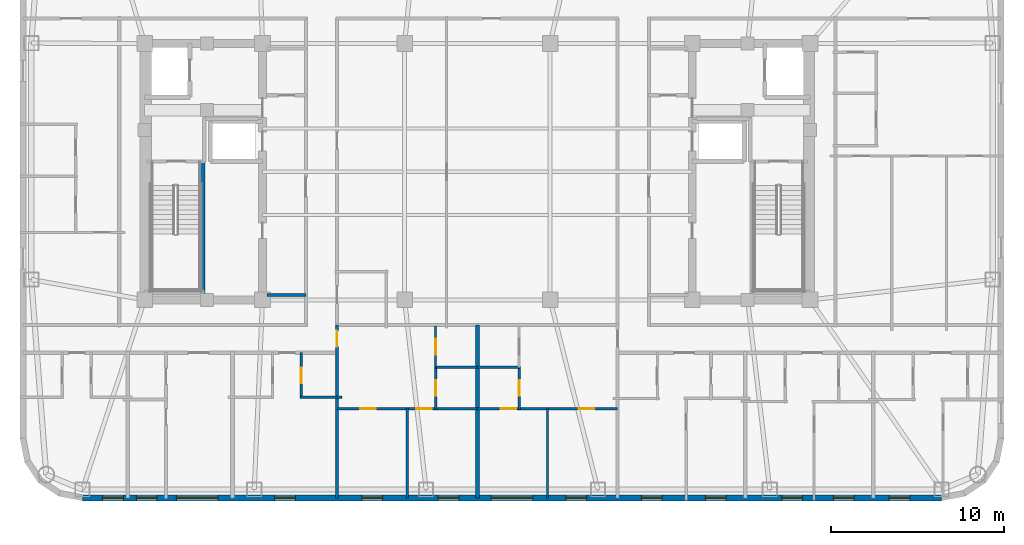
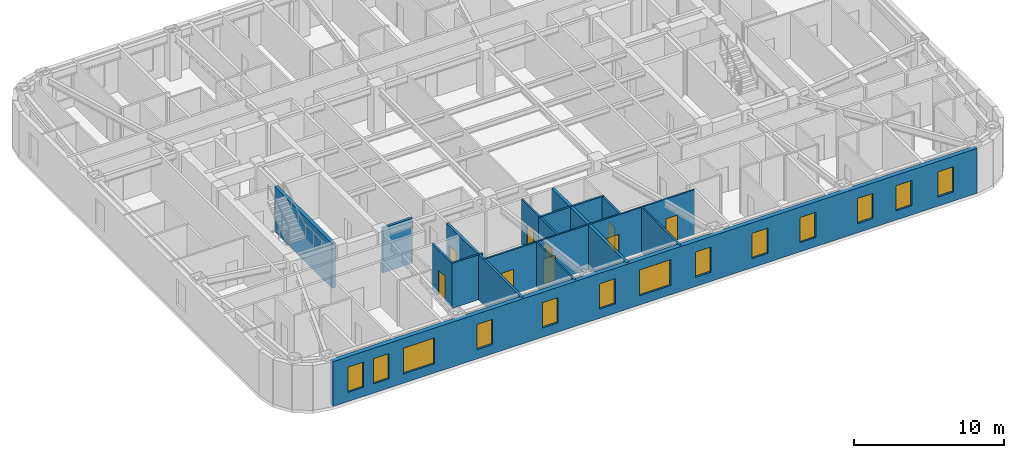
# One storey, part 3 of 11: 16 walls, 13 windows, 9 doors, 22 openings.
"""IFC4 building model written with IfcOpenShell, lengths in metres."""

import ifcopenshell
import ifcopenshell.guid

model = None  # the IFC model being written
_history = None  # IfcOwnerHistory: only IFC2X3 demands one
_inside = {}  # id of a spatial element -> (the spatial element, [elements in it])
_under = {}  # id of a project, library or spatial element -> (it, [spatial elements below it])
_declared = {}  # id of a project -> (the project, [libraries it declares])
_typed = {}  # id of a type object -> (the type object, [elements of that type])
_made_of = {}  # id of a material, layer set ... -> (it, [elements and type objects made of it])


def new_model(schema):
    """Start an empty IFC model of exactly this schema.

    Asked for "IFC4X3", IfcOpenShell would pick the latest addendum, in which some entities
    have other attributes; the version numbers below select the first issue.
    IFC2X3 requires an IfcOwnerHistory on every rooted entity: one is made here for all.
    """
    global model, _history
    if schema == "IFC4X3":
        model = ifcopenshell.file(schema_version=(4, 3, 0, 0))
    else:
        model = ifcopenshell.file(schema=schema)
    _inside.clear()
    _under.clear()
    _declared.clear()
    _typed.clear()
    _made_of.clear()
    _history = None
    if model.schema == "IFC2X3":
        org = make("IfcOrganization", Name="unknown")
        user = make(
            "IfcPersonAndOrganization",
            ThePerson=make("IfcPerson", FamilyName="unknown"),
            TheOrganization=org,
        )
        app = make(
            "IfcApplication",
            ApplicationDeveloper=org,
            Version="unknown",
            ApplicationFullName="unknown",
            ApplicationIdentifier="unknown",
        )
        _history = make(
            "IfcOwnerHistory",
            OwningUser=user,
            OwningApplication=app,
            ChangeAction="ADDED",
            CreationDate=0,
        )
    return model


def make(cls, **values):
    """One entity of the class cls with the attributes given. An attribute that is None is left unset."""
    return model.create_entity(
        cls, **{name: value for name, value in values.items() if value is not None}
    )


def rooted(cls, **values):
    """An entity with a GlobalId (a new one), such as an element, a storey or a relation."""
    return make(cls, GlobalId=ifcopenshell.guid.new(), OwnerHistory=_history, **values)


def si_unit(unit_type, name, prefix=None):
    """IfcSIUnit, for example si_unit("LENGTHUNIT", "METRE", prefix="MILLI")."""
    return make("IfcSIUnit", UnitType=unit_type, Prefix=prefix, Name=name)


def assignment(units):
    """IfcUnitAssignment: the units of a project."""
    return None if units is None else make("IfcUnitAssignment", Units=units)


def point(xyz):
    """IfcCartesianPoint."""
    return None if xyz is None else make("IfcCartesianPoint", Coordinates=xyz)


def direction(xyz):
    """IfcDirection."""
    return None if xyz is None else make("IfcDirection", DirectionRatios=xyz)


def frame(location, z_axis=None, x_axis=None):
    """IfcAxis2Placement3D, a coordinate frame: its origin and axes. An axis left out is left unset."""
    return make(
        "IfcAxis2Placement3D",
        Location=point(location),
        Axis=direction(z_axis),
        RefDirection=direction(x_axis),
    )


def frame_2d(location, x_axis=None):
    """IfcAxis2Placement2D, a coordinate frame in the plane: its origin and x axis."""
    return make(
        "IfcAxis2Placement2D", Location=point(location), RefDirection=direction(x_axis)
    )


def origin():
    """The frame at (0, 0, 0) with its axes left unset."""
    return frame((0.0, 0.0, 0.0))


def place(relative_to, where):
    """IfcLocalPlacement: puts the frame where relative to a parent placement (None: the world)."""
    return make(
        "IfcLocalPlacement", PlacementRelTo=relative_to, RelativePlacement=where
    )


def context(
    kind, dimensions, precision=None, world=None, true_north=None, identifier=None
):
    """IfcGeometricRepresentationContext, for example the 3D "Model" context."""
    return make(
        "IfcGeometricRepresentationContext",
        ContextIdentifier=identifier,
        ContextType=kind,
        CoordinateSpaceDimension=dimensions,
        Precision=precision,
        WorldCoordinateSystem=world,
        TrueNorth=true_north,
    )


def subcontext(parent, identifier, kind, view, scale=None):
    """IfcGeometricRepresentationSubContext, for example "Body" below "Model"."""
    return make(
        "IfcGeometricRepresentationSubContext",
        ContextIdentifier=identifier,
        ContextType=kind,
        ParentContext=parent,
        TargetScale=scale,
        TargetView=view,
    )


def project(units=None, contexts=None):
    """IfcProject with its units and contexts."""
    return rooted(
        "IfcProject",
        Name="project",
        RepresentationContexts=contexts,
        UnitsInContext=assignment(units),
    )


def spatial(cls, under=None, at=None, **own):
    """A site, building, storey or space (cls), placed at a placement, below another one or the project."""
    s = rooted(cls, ObjectPlacement=at, **own)
    if under is not None:
        _under.setdefault(under.id(), (under, []))[1].append(s)
    return s


def profile(cls, at=None, kind="AREA", **sizes):
    """A parametric profile (cls). Its sizes go by their IFC names, for example OverallWidth=200.0."""
    return make(cls, ProfileType=kind, Position=at, **sizes)


def rectangle(**sizes):
    """IfcRectangleProfileDef."""
    return profile("IfcRectangleProfileDef", **sizes)


def extrude(swept, where, along, depth):
    """IfcExtrudedAreaSolid: the profile swept, set in the frame where, extruded along a direction by depth."""
    return make(
        "IfcExtrudedAreaSolid",
        SweptArea=swept,
        Position=where,
        ExtrudedDirection=direction(along),
        Depth=depth,
    )


def shape(context_of_items, identifier, shape_type, items):
    """IfcShapeRepresentation: the items that make up one representation, for example the "Body"."""
    return make(
        "IfcShapeRepresentation",
        ContextOfItems=context_of_items,
        RepresentationIdentifier=identifier,
        RepresentationType=shape_type,
        Items=items,
    )


def material(Name=None, Category=None):
    """IfcMaterial."""
    return make("IfcMaterial", Name=Name, Category=Category)


def layer(
    of_material, thickness, ventilated=None, Name=None, Category=None, Priority=None
):
    """IfcMaterialLayer: one layer of a wall or slab, of a material (None: an air gap)."""
    return make(
        "IfcMaterialLayer",
        Material=of_material,
        LayerThickness=thickness,
        IsVentilated=ventilated,
        Name=Name,
        Category=Category,
        Priority=Priority,
    )


def layer_set(layers, Name=None):
    """IfcMaterialLayerSet."""
    return make("IfcMaterialLayerSet", MaterialLayers=layers, LayerSetName=Name)


def made_of(thing, what):
    """Note that an element or type object is made of a material, layer set ...; save() writes the relation."""
    if what is not None:
        _made_of.setdefault(what.id(), (what, []))[1].append(thing)
    return thing


def type_object(cls, material=None, **own):
    """A type object (cls), such as IfcWallType, which elements share."""
    return made_of(rooted(cls, **own), material)


def element(
    cls,
    number,
    at=None,
    inside=None,
    cuts=None,
    type_object=None,
    material=None,
    context=None,
    identifier="Body",
    shape_type=None,
    held_by="IfcProductDefinitionShape",
    body=None,
    shapes=None,
    **own,
):
    """One element of the class cls, such as IfcWall. Its Tag is "e" and its number.

    at: its placement. inside: the storey or other place that contains it. cuts: it is an
    opening in that element (IfcRelVoidsElement). A single representation is given by context,
    identifier, shape_type and body (its items); several are given by shapes. held_by: the class
    of the entity that holds the representations. save() writes the other relations.
    """
    e = rooted(cls, Tag="e%d" % number, ObjectPlacement=at, **own)
    if body is not None:
        shapes = [shape(context, identifier, shape_type, body)]
    if shapes is not None:
        e.Representation = make(held_by, Representations=shapes)
    if inside is not None:
        _inside.setdefault(inside.id(), (inside, []))[1].append(e)
    if cuts is not None:
        rooted(
            "IfcRelVoidsElement", RelatingBuildingElement=cuts, RelatedOpeningElement=e
        )
    if type_object is not None:
        _typed.setdefault(type_object.id(), (type_object, []))[1].append(e)
    return made_of(e, material)


def fill(opening, filler):
    """IfcRelFillsElement: the door or window that sits in an opening."""
    return rooted(
        "IfcRelFillsElement",
        RelatingOpeningElement=opening,
        RelatedBuildingElement=filler,
    )


def aggregate(whole, parts):
    """IfcRelAggregates: a whole, such as a stair, and the parts it consists of."""
    return rooted("IfcRelAggregates", RelatingObject=whole, RelatedObjects=parts)


def save(model, path):
    """Write the relations noted so far, then the file.

    IfcRelAggregates (storeys below a building ...), IfcRelContainedInSpatialStructure (elements
    in a storey), IfcRelDefinesByType, IfcRelAssociatesMaterial and IfcRelDeclares: one each for
    every whole, place, type object, material and project.
    """
    for whole, parts in _under.values():
        aggregate(whole, parts)
    for where, things in _inside.values():
        rooted(
            "IfcRelContainedInSpatialStructure",
            RelatedElements=things,
            RelatingStructure=where,
        )
    for kind, things in _typed.values():
        rooted("IfcRelDefinesByType", RelatedObjects=things, RelatingType=kind)
    for what, things in _made_of.values():
        rooted("IfcRelAssociatesMaterial", RelatedObjects=things, RelatingMaterial=what)
    for by, libraries in _declared.values():
        rooted("IfcRelDeclares", RelatingContext=by, RelatedDefinitions=libraries)
    model.write(path)


model = new_model("IFC4")

# Units and contexts
model_context = context("Model", 3, precision=1e-05, world=origin(), true_north=direction((0.0, 1.0)))
body_context = subcontext(model_context, "Body", "Model", "MODEL_VIEW")
ifc_project = project(units=[si_unit("LENGTHUNIT", "METRE"), si_unit("AREAUNIT", "SQUARE_METRE"), si_unit("VOLUMEUNIT", "CUBIC_METRE"), si_unit("PLANEANGLEUNIT", "RADIAN"), si_unit("MASSUNIT", "GRAM", prefix="KILO")], contexts=[model_context])

# Site, building, storey
site_placement = place(None, origin())
site = spatial("IfcSite", under=ifc_project, at=site_placement, CompositionType="ELEMENT")
building_placement = place(site_placement, origin())
building = spatial("IfcBuilding", under=site, at=building_placement, Name="Voryun Gate Residences", CompositionType="ELEMENT")
storey_placement = place(building_placement, frame((0.0, 0.0, 239.199951171875)))
storey = spatial("IfcBuildingStorey", under=building, at=storey_placement, Name="L59", CompositionType="ELEMENT", Elevation=239.199951171875)

# Wall
ifc_material_1 = material(Name="Gypsum acoustic fireboard")
ifc_layer_1 = layer(ifc_material_1, 0.179931640625, Name="W_CORR_RATED_180")
ifc_layer_set_1 = layer_set([ifc_layer_1], Name="Gypsum acoustic fireboard")
wall_type_1 = type_object("IfcWallType", Name="W_CORR_RATED_180", PredefinedType="PARTITIONING", material=ifc_layer_set_1)
wall_1_placement = place(storey_placement, frame((-12.14990234375, -7.1201171875, 0.0), z_axis=(0.0, 0.0, 1.0), x_axis=(1.0, 0.0, 0.0)))
element("IfcWall", 1, at=wall_1_placement, inside=storey, type_object=wall_type_1, Name="Partition wall WP-L59-PLBS-W", PredefinedType="PARTITIONING", context=body_context, shape_type="SweptSolid", body=[
    extrude(rectangle(XDim=2.27001953125, YDim=0.179931640625, at=frame_2d((1.135009765625, 0.0))), origin(), (0.0, 0.0, 1.0), 3.650146484375),
])

# Wall, opening, door
wall_2_placement = place(storey_placement, frame((-8.10009765625, -18.830078125, 0.0), z_axis=(0.0, 0.0, 1.0), x_axis=(0.0, 1.0, 0.0)))
wall_2 = element("IfcWall", 2, at=wall_2_placement, inside=storey, type_object=wall_type_1, Name="Partition wall WP-L59-SZV-1", PredefinedType="PARTITIONING", context=body_context, shape_type="SweptSolid", body=[
    extrude(rectangle(XDim=9.989990234375, YDim=0.179931640625, at=frame_2d((4.9951171875, 0.0))), origin(), (0.0, 0.0, 1.0), 3.650146484375),
])
opening_1_placement = place(wall_2_placement, frame((8.73974609375, 0.0, 0.0)))
opening_1 = element("IfcOpeningElement", 3, at=opening_1_placement, cuts=wall_2, Name="Opening D-INT-2", PredefinedType="OPENING", context=body_context, shape_type="SweptSolid", body=[
    extrude(rectangle(XDim=0.89990234375, YDim=2.050048828125, at=frame_2d((0.449951171875, 1.02490234375))), frame((0.0, 0.099853515625, 0.0), z_axis=(0.0, -1.0, 0.0), x_axis=(1.0, 0.0, 0.0)), (0.0, 0.0, 1.0), 0.199951171875),
])
ifc_material_2 = material(Name="Architectural oak veneer")
door_type = type_object("IfcDoorType", Name="DR_INT_BATH_900", OperationType="NOTDEFINED", PredefinedType="DOOR", material=ifc_material_2)
door_1_placement = place(opening_1_placement, origin())
door_1 = element("IfcDoor", 4, at=door_1_placement, inside=storey, type_object=door_type, Name="Door DR-L59-SZENT-1", OperationType="SINGLE_SWING_LEFT", OverallHeight=2.050048828125, OverallWidth=0.89990234375, PredefinedType="DOOR", context=body_context, shape_type="SweptSolid", body=[
    extrude(rectangle(XDim=0.89990234375, YDim=2.050048828125, at=frame_2d((0.449951171875, 1.02490234375))), frame((0.0, 0.02490234375, 0.0), z_axis=(0.0, -1.0, 0.0), x_axis=(1.0, 0.0, 0.0)), (0.0, 0.0, 1.0), 0.050048828125),
])
fill(opening_1, door_1)

# Wall, openings, windows
ifc_material_3 = material(Name="Charcoal terracotta masonry", Category="masonry")
ifc_layer_2 = layer(ifc_material_3, 0.340087890625, Name="W_EXT_TERRACOTTA_340")
ifc_layer_set_2 = layer_set([ifc_layer_2], Name="Charcoal terracotta masonry")
wall_type_2 = type_object("IfcWallType", Name="W_EXT_TERRACOTTA_340", PredefinedType="ELEMENTEDWALL", material=ifc_layer_set_2)
wall_3_placement = place(storey_placement, frame((26.783203125, -18.830078125, 0.0), z_axis=(0.0, 0.0, 1.0), x_axis=(-1.0, 0.0, 0.0)))
wall_3 = element("IfcWall", 5, at=wall_3_placement, inside=storey, type_object=wall_type_2, Name="Exterior wall WEXT-L59-01", PredefinedType="ELEMENTEDWALL", context=body_context, shape_type="SweptSolid", body=[
    extrude(rectangle(XDim=49.56640625, YDim=0.340087890625, at=frame_2d((24.783203125, 0.0))), origin(), (0.0, 0.0, 1.0), 3.650146484375),
])
opening_2_placement = place(wall_3_placement, frame((23.583251953125, 0.0, 0.75)))
opening_2 = element("IfcOpeningElement", 6, at=opening_2_placement, cuts=wall_3, Name="Opening WN2", PredefinedType="OPENING", context=body_context, shape_type="SweptSolid", body=[
    extrude(rectangle(XDim=2.39990234375, YDim=2.10009765625, at=frame_2d((1.199951171875, 1.050048828125))), frame((0.0, 0.179931640625, 0.0), z_axis=(0.0, -1.0, 0.0), x_axis=(1.0, 0.0, 0.0)), (0.0, 0.0, 1.0), 0.360107421875),
])
opening_3_placement = place(wall_3_placement, frame((41.755615234375, 0.0, 0.75)))
opening_3 = element("IfcOpeningElement", 7, at=opening_3_placement, cuts=wall_3, Name="Opening WN2", PredefinedType="OPENING", context=body_context, shape_type="SweptSolid", body=[
    extrude(rectangle(XDim=2.39990234375, YDim=2.10009765625, at=frame_2d((1.199951171875, 1.050048828125))), frame((0.0, 0.179931640625, 0.0), z_axis=(0.0, -1.0, 0.0), x_axis=(1.0, 0.0, 0.0)), (0.0, 0.0, 1.0), 0.360107421875),
])
opening_4_placement = place(wall_3_placement, frame((47.222412109375, 0.0, 0.75)))
opening_4 = element("IfcOpeningElement", 8, at=opening_4_placement, cuts=wall_3, Name="Opening WN6", PredefinedType="OPENING", context=body_context, shape_type="SweptSolid", body=[
    extrude(rectangle(XDim=1.199951171875, YDim=2.050048828125, at=frame_2d((0.60009765625, 1.02490234375))), frame((0.0, 0.179931640625, 0.0), z_axis=(0.0, -1.0, 0.0), x_axis=(1.0, 0.0, 0.0)), (0.0, 0.0, 1.0), 0.360107421875),
])
opening_5_placement = place(wall_3_placement, frame((45.26318359375, 0.0, 0.75)))
opening_5 = element("IfcOpeningElement", 9, at=opening_5_placement, cuts=wall_3, Name="Opening WN6", PredefinedType="OPENING", context=body_context, shape_type="SweptSolid", body=[
    extrude(rectangle(XDim=1.199951171875, YDim=2.050048828125, at=frame_2d((0.60009765625, 1.02490234375))), frame((0.0, 0.179931640625, 0.0), z_axis=(0.0, -1.0, 0.0), x_axis=(1.0, 0.0, 0.0)), (0.0, 0.0, 1.0), 0.360107421875),
])
opening_6_placement = place(wall_3_placement, frame((37.289306640625, 0.0, 0.75)))
opening_6 = element("IfcOpeningElement", 10, at=opening_6_placement, cuts=wall_3, Name="Opening WN6", PredefinedType="OPENING", context=body_context, shape_type="SweptSolid", body=[
    extrude(rectangle(XDim=1.199951171875, YDim=2.050048828125, at=frame_2d((0.60009765625, 1.02490234375))), frame((0.0, 0.179931640625, 0.0), z_axis=(0.0, -1.0, 0.0), x_axis=(1.0, 0.0, 0.0)), (0.0, 0.0, 1.0), 0.360107421875),
])
opening_7_placement = place(wall_3_placement, frame((16.115234375, 0.0, 0.75)))
opening_7 = element("IfcOpeningElement", 11, at=opening_7_placement, cuts=wall_3, Name="Opening WN6", PredefinedType="OPENING", context=body_context, shape_type="SweptSolid", body=[
    extrude(rectangle(XDim=1.199951171875, YDim=2.050048828125, at=frame_2d((0.60009765625, 1.02490234375))), frame((0.0, 0.179931640625, 0.0), z_axis=(0.0, -1.0, 0.0), x_axis=(1.0, 0.0, 0.0)), (0.0, 0.0, 1.0), 0.360107421875),
])
opening_8_placement = place(wall_3_placement, frame((12.42236328125, 0.0, 0.75)))
opening_8 = element("IfcOpeningElement", 12, at=opening_8_placement, cuts=wall_3, Name="Opening WN6", PredefinedType="OPENING", context=body_context, shape_type="SweptSolid", body=[
    extrude(rectangle(XDim=1.199951171875, YDim=2.050048828125, at=frame_2d((0.60009765625, 1.02490234375))), frame((0.0, 0.179931640625, 0.0), z_axis=(0.0, -1.0, 0.0), x_axis=(1.0, 0.0, 0.0)), (0.0, 0.0, 1.0), 0.360107421875),
])
opening_9_placement = place(wall_3_placement, frame((8.009765625, 0.0, 0.75)))
opening_9 = element("IfcOpeningElement", 13, at=opening_9_placement, cuts=wall_3, Name="Opening WN6", PredefinedType="OPENING", context=body_context, shape_type="SweptSolid", body=[
    extrude(rectangle(XDim=1.199951171875, YDim=2.050048828125, at=frame_2d((0.60009765625, 1.02490234375))), frame((0.0, 0.179931640625, 0.0), z_axis=(0.0, -1.0, 0.0), x_axis=(1.0, 0.0, 0.0)), (0.0, 0.0, 1.0), 0.360107421875),
])
opening_10_placement = place(wall_3_placement, frame((5.037353515625, 0.0, 0.75)))
opening_10 = element("IfcOpeningElement", 14, at=opening_10_placement, cuts=wall_3, Name="Opening WN6", PredefinedType="OPENING", context=body_context, shape_type="SweptSolid", body=[
    extrude(rectangle(XDim=1.199951171875, YDim=2.050048828125, at=frame_2d((0.60009765625, 1.02490234375))), frame((0.0, 0.179931640625, 0.0), z_axis=(0.0, -1.0, 0.0), x_axis=(1.0, 0.0, 0.0)), (0.0, 0.0, 1.0), 0.360107421875),
])
opening_11_placement = place(wall_3_placement, frame((1.81103515625, 0.0, 0.75)))
opening_11 = element("IfcOpeningElement", 15, at=opening_11_placement, cuts=wall_3, Name="Opening WN6", PredefinedType="OPENING", context=body_context, shape_type="SweptSolid", body=[
    extrude(rectangle(XDim=1.199951171875, YDim=2.050048828125, at=frame_2d((0.60009765625, 1.02490234375))), frame((0.0, 0.179931640625, 0.0), z_axis=(0.0, -1.0, 0.0), x_axis=(1.0, 0.0, 0.0)), (0.0, 0.0, 1.0), 0.360107421875),
])
opening_12_placement = place(wall_3_placement, frame((32.25341796875, 0.0, 0.75)))
opening_12 = element("IfcOpeningElement", 16, at=opening_12_placement, cuts=wall_3, Name="Opening WN6", PredefinedType="OPENING", context=body_context, shape_type="SweptSolid", body=[
    extrude(rectangle(XDim=1.199951171875, YDim=2.050048828125, at=frame_2d((0.60009765625, 1.02490234375))), frame((0.0, 0.179931640625, 0.0), z_axis=(0.0, -1.0, 0.0), x_axis=(1.0, 0.0, 0.0)), (0.0, 0.0, 1.0), 0.360107421875),
])
opening_13_placement = place(wall_3_placement, frame((27.853271484375, 0.0, 0.75)))
opening_13 = element("IfcOpeningElement", 17, at=opening_13_placement, cuts=wall_3, Name="Opening WN6", PredefinedType="OPENING", context=body_context, shape_type="SweptSolid", body=[
    extrude(rectangle(XDim=1.199951171875, YDim=2.050048828125, at=frame_2d((0.60009765625, 1.02490234375))), frame((0.0, 0.179931640625, 0.0), z_axis=(0.0, -1.0, 0.0), x_axis=(1.0, 0.0, 0.0)), (0.0, 0.0, 1.0), 0.360107421875),
])
opening_14_placement = place(wall_3_placement, frame((20.473388671875, 0.0, 0.75)))
opening_14 = element("IfcOpeningElement", 18, at=opening_14_placement, cuts=wall_3, Name="Opening WN6", PredefinedType="OPENING", context=body_context, shape_type="SweptSolid", body=[
    extrude(rectangle(XDim=1.199951171875, YDim=2.050048828125, at=frame_2d((0.60009765625, 1.02490234375))), frame((0.0, 0.179931640625, 0.0), z_axis=(0.0, -1.0, 0.0), x_axis=(1.0, 0.0, 0.0)), (0.0, 0.0, 1.0), 0.360107421875),
])
ifc_material_4 = material(Name="Laminated low-E glass", Category="glass")
window_type_1 = type_object("IfcWindowType", Name="WN_POD_SLOT_1200", PartitioningType="SINGLE_PANEL", PredefinedType="WINDOW", material=ifc_material_4)
window_1_placement = place(opening_4_placement, origin())
window_1 = element("IfcWindow", 19, at=window_1_placement, inside=storey, type_object=window_type_1, Name="Window WN-L59-DWFIX-15", OverallHeight=2.050048828125, OverallWidth=1.199951171875, PartitioningType="SINGLE_PANEL", PredefinedType="WINDOW", context=body_context, shape_type="SweptSolid", body=[
    extrude(rectangle(XDim=1.199951171875, YDim=2.050048828125, at=frame_2d((0.60009765625, 1.02490234375))), frame((0.0, 0.030029296875, 0.0), z_axis=(0.0, -1.0, 0.0), x_axis=(1.0, 0.0, 0.0)), (0.0, 0.0, 1.0), 0.06005859375),
])
fill(opening_4, window_1)
window_2_placement = place(opening_5_placement, origin())
window_2 = element("IfcWindow", 20, at=window_2_placement, inside=storey, type_object=window_type_1, Name="Window WN-L59-DWFIX-16", OverallHeight=2.050048828125, OverallWidth=1.199951171875, PartitioningType="SINGLE_PANEL", PredefinedType="WINDOW", context=body_context, shape_type="SweptSolid", body=[
    extrude(rectangle(XDim=1.199951171875, YDim=2.050048828125, at=frame_2d((0.60009765625, 1.02490234375))), frame((0.0, 0.030029296875, 0.0), z_axis=(0.0, -1.0, 0.0), x_axis=(1.0, 0.0, 0.0)), (0.0, 0.0, 1.0), 0.06005859375),
])
fill(opening_5, window_2)
window_3_placement = place(opening_6_placement, origin())
window_3 = element("IfcWindow", 21, at=window_3_placement, inside=storey, type_object=window_type_1, Name="Window WN-L59-DWFIX-17", OverallHeight=2.050048828125, OverallWidth=1.199951171875, PartitioningType="SINGLE_PANEL", PredefinedType="WINDOW", context=body_context, shape_type="SweptSolid", body=[
    extrude(rectangle(XDim=1.199951171875, YDim=2.050048828125, at=frame_2d((0.60009765625, 1.02490234375))), frame((0.0, 0.030029296875, 0.0), z_axis=(0.0, -1.0, 0.0), x_axis=(1.0, 0.0, 0.0)), (0.0, 0.0, 1.0), 0.06005859375),
])
fill(opening_6, window_3)
window_4_placement = place(opening_7_placement, origin())
window_4 = element("IfcWindow", 22, at=window_4_placement, inside=storey, type_object=window_type_1, Name="Window WN-L59-DWFIX-18", OverallHeight=2.050048828125, OverallWidth=1.199951171875, PartitioningType="SINGLE_PANEL", PredefinedType="WINDOW", context=body_context, shape_type="SweptSolid", body=[
    extrude(rectangle(XDim=1.199951171875, YDim=2.050048828125, at=frame_2d((0.60009765625, 1.02490234375))), frame((0.0, 0.030029296875, 0.0), z_axis=(0.0, -1.0, 0.0), x_axis=(1.0, 0.0, 0.0)), (0.0, 0.0, 1.0), 0.06005859375),
])
fill(opening_7, window_4)
window_5_placement = place(opening_8_placement, origin())
window_5 = element("IfcWindow", 23, at=window_5_placement, inside=storey, type_object=window_type_1, Name="Window WN-L59-DWFIX-19", OverallHeight=2.050048828125, OverallWidth=1.199951171875, PartitioningType="SINGLE_PANEL", PredefinedType="WINDOW", context=body_context, shape_type="SweptSolid", body=[
    extrude(rectangle(XDim=1.199951171875, YDim=2.050048828125, at=frame_2d((0.60009765625, 1.02490234375))), frame((0.0, 0.030029296875, 0.0), z_axis=(0.0, -1.0, 0.0), x_axis=(1.0, 0.0, 0.0)), (0.0, 0.0, 1.0), 0.06005859375),
])
fill(opening_8, window_5)
window_6_placement = place(opening_9_placement, origin())
window_6 = element("IfcWindow", 24, at=window_6_placement, inside=storey, type_object=window_type_1, Name="Window WN-L59-DWFIX-20", OverallHeight=2.050048828125, OverallWidth=1.199951171875, PartitioningType="SINGLE_PANEL", PredefinedType="WINDOW", context=body_context, shape_type="SweptSolid", body=[
    extrude(rectangle(XDim=1.199951171875, YDim=2.050048828125, at=frame_2d((0.60009765625, 1.02490234375))), frame((0.0, 0.030029296875, 0.0), z_axis=(0.0, -1.0, 0.0), x_axis=(1.0, 0.0, 0.0)), (0.0, 0.0, 1.0), 0.06005859375),
])
fill(opening_9, window_6)
window_7_placement = place(opening_10_placement, origin())
window_7 = element("IfcWindow", 25, at=window_7_placement, inside=storey, type_object=window_type_1, Name="Window WN-L59-DWFIX-21", OverallHeight=2.050048828125, OverallWidth=1.199951171875, PartitioningType="SINGLE_PANEL", PredefinedType="WINDOW", context=body_context, shape_type="SweptSolid", body=[
    extrude(rectangle(XDim=1.199951171875, YDim=2.050048828125, at=frame_2d((0.60009765625, 1.02490234375))), frame((0.0, 0.030029296875, 0.0), z_axis=(0.0, -1.0, 0.0), x_axis=(1.0, 0.0, 0.0)), (0.0, 0.0, 1.0), 0.06005859375),
])
fill(opening_10, window_7)
window_8_placement = place(opening_11_placement, origin())
window_8 = element("IfcWindow", 26, at=window_8_placement, inside=storey, type_object=window_type_1, Name="Window WN-L59-DWFIX-22", OverallHeight=2.050048828125, OverallWidth=1.199951171875, PartitioningType="SINGLE_PANEL", PredefinedType="WINDOW", context=body_context, shape_type="SweptSolid", body=[
    extrude(rectangle(XDim=1.199951171875, YDim=2.050048828125, at=frame_2d((0.60009765625, 1.02490234375))), frame((0.0, 0.030029296875, 0.0), z_axis=(0.0, -1.0, 0.0), x_axis=(1.0, 0.0, 0.0)), (0.0, 0.0, 1.0), 0.06005859375),
])
fill(opening_11, window_8)
window_9_placement = place(opening_12_placement, origin())
window_9 = element("IfcWindow", 27, at=window_9_placement, inside=storey, type_object=window_type_1, Name="Window WN-L59-DWFIX-24", OverallHeight=2.050048828125, OverallWidth=1.199951171875, PartitioningType="SINGLE_PANEL", PredefinedType="WINDOW", context=body_context, shape_type="SweptSolid", body=[
    extrude(rectangle(XDim=1.199951171875, YDim=2.050048828125, at=frame_2d((0.60009765625, 1.02490234375))), frame((0.0, 0.030029296875, 0.0), z_axis=(0.0, -1.0, 0.0), x_axis=(1.0, 0.0, 0.0)), (0.0, 0.0, 1.0), 0.06005859375),
])
fill(opening_12, window_9)
window_10_placement = place(opening_13_placement, origin())
window_10 = element("IfcWindow", 28, at=window_10_placement, inside=storey, type_object=window_type_1, Name="Window WN-L59-DWFIX-25", OverallHeight=2.050048828125, OverallWidth=1.199951171875, PartitioningType="SINGLE_PANEL", PredefinedType="WINDOW", context=body_context, shape_type="SweptSolid", body=[
    extrude(rectangle(XDim=1.199951171875, YDim=2.050048828125, at=frame_2d((0.60009765625, 1.02490234375))), frame((0.0, 0.030029296875, 0.0), z_axis=(0.0, -1.0, 0.0), x_axis=(1.0, 0.0, 0.0)), (0.0, 0.0, 1.0), 0.06005859375),
])
fill(opening_13, window_10)
window_11_placement = place(opening_14_placement, origin())
window_11 = element("IfcWindow", 29, at=window_11_placement, inside=storey, type_object=window_type_1, Name="Window WN-L59-DWFIX-26", OverallHeight=2.050048828125, OverallWidth=1.199951171875, PartitioningType="SINGLE_PANEL", PredefinedType="WINDOW", context=body_context, shape_type="SweptSolid", body=[
    extrude(rectangle(XDim=1.199951171875, YDim=2.050048828125, at=frame_2d((0.60009765625, 1.02490234375))), frame((0.0, 0.030029296875, 0.0), z_axis=(0.0, -1.0, 0.0), x_axis=(1.0, 0.0, 0.0)), (0.0, 0.0, 1.0), 0.06005859375),
])
fill(opening_14, window_11)
ifc_material_5 = material(Name="Laminated low-E glass", Category="glass")
window_type_2 = type_object("IfcWindowType", Name="WN_RES_WIDE_2400", PartitioningType="SINGLE_PANEL", PredefinedType="WINDOW", material=ifc_material_5)
window_12_placement = place(opening_2_placement, origin())
window_12 = element("IfcWindow", 30, at=window_12_placement, inside=storey, type_object=window_type_2, Name="Window WN-WEXT-L59-01-02", OverallHeight=2.10009765625, OverallWidth=2.39990234375, PartitioningType="SINGLE_PANEL", PredefinedType="WINDOW", context=body_context, shape_type="SweptSolid", body=[
    extrude(rectangle(XDim=2.39990234375, YDim=2.10009765625, at=frame_2d((1.199951171875, 1.050048828125))), frame((0.0, 0.030029296875, 0.0), z_axis=(0.0, -1.0, 0.0), x_axis=(1.0, 0.0, 0.0)), (0.0, 0.0, 1.0), 0.06005859375),
])
fill(opening_2, window_12)
window_13_placement = place(opening_3_placement, origin())
window_13 = element("IfcWindow", 31, at=window_13_placement, inside=storey, type_object=window_type_2, Name="Window WN-WEXT-L59-01-03", OverallHeight=2.10009765625, OverallWidth=2.39990234375, PartitioningType="SINGLE_PANEL", PredefinedType="WINDOW", context=body_context, shape_type="SweptSolid", body=[
    extrude(rectangle(XDim=2.39990234375, YDim=2.10009765625, at=frame_2d((1.199951171875, 1.050048828125))), frame((0.0, 0.030029296875, 0.0), z_axis=(0.0, -1.0, 0.0), x_axis=(1.0, 0.0, 0.0)), (0.0, 0.0, 1.0), 0.06005859375),
])
fill(opening_3, window_13)

# Walls
ifc_material_6 = material(Name="Concrete C40/50", Category="concrete")
ifc_layer_3 = layer(ifc_material_6, 0.219970703125, Name="W_PARTY_ACOUSTIC_220")
ifc_layer_set_3 = layer_set([ifc_layer_3], Name="Concrete C40/50")
wall_type_3 = type_object("IfcWallType", Name="W_PARTY_ACOUSTIC_220", PredefinedType="PARTITIONING", material=ifc_layer_set_3)
wall_4_placement = place(storey_placement, frame((0.0, -18.830078125, 0.0), z_axis=(0.0, 0.0, 1.0), x_axis=(0.0, 1.0, 0.0)))
element("IfcWall", 32, at=wall_4_placement, inside=storey, type_object=wall_type_3, Name="Partition wall WP-L59-SZMID", PredefinedType="PARTITIONING", context=body_context, shape_type="SweptSolid", body=[
    extrude(rectangle(XDim=9.989990234375, YDim=0.219970703125, at=frame_2d((4.9951171875, 0.0))), origin(), (0.0, 0.0, 1.0), 3.650146484375),
])
ifc_material_7 = material(Name="Concrete C50/60", Category="concrete")
ifc_layer_4 = layer(ifc_material_7, 0.25, Name="W_SHAFT_RC250")
ifc_layer_set_4 = layer_set([ifc_layer_4], Name="Concrete C50/60")
wall_type_4 = type_object("IfcWallType", Name="W_SHAFT_RC250", PredefinedType="SOLIDWALL", material=ifc_layer_set_4)
wall_5_placement = place(storey_placement, frame((-15.860107421875, -7.0849609375, 0.0), z_axis=(0.0, 0.0, 1.0), x_axis=(0.0, 1.0, 0.0)))
element("IfcWall", 33, at=wall_5_placement, inside=storey, type_object=wall_type_4, Name="L59 Stair shaft structural wall W-STR", PredefinedType="SOLIDWALL", context=body_context, shape_type="SweptSolid", body=[
    extrude(rectangle(XDim=7.68505859375, YDim=0.25, at=frame_2d((3.842529296875, 0.0))), origin(), (0.0, 0.0, 1.0), 3.650146484375),
])

# Wall, openings, doors
ifc_material_8 = material(Name="Gypsum acoustic partition")
ifc_layer_5 = layer(ifc_material_8, 0.125, Name="W_UNIT_PART_125")
ifc_layer_set_5 = layer_set([ifc_layer_5], Name="Gypsum acoustic partition")
wall_type_5 = type_object("IfcWallType", Name="W_UNIT_PART_125", PredefinedType="PARTITIONING", material=ifc_layer_set_5)
wall_6_placement = place(storey_placement, frame((-8.080078125, -13.679931640625, 0.0), z_axis=(0.0, 0.0, 1.0), x_axis=(1.0, 0.0, 0.0)))
wall_6 = element("IfcWall", 34, at=wall_6_placement, inside=storey, type_object=wall_type_5, Name="Partition wall WP-L59-SC1-HZ", PredefinedType="PARTITIONING", context=body_context, shape_type="SweptSolid", body=[
    extrude(rectangle(XDim=8.06005859375, YDim=0.125, at=frame_2d((4.030029296875, 0.0))), origin(), (0.0, 0.0, 1.0), 3.650146484375),
])
opening_15_placement = place(wall_6_placement, frame((1.3232421875, 0.0, 0.0)))
opening_15 = element("IfcOpeningElement", 35, at=opening_15_placement, cuts=wall_6, Name="Opening D-INT-2", PredefinedType="OPENING", context=body_context, shape_type="SweptSolid", body=[
    extrude(rectangle(XDim=0.89990234375, YDim=2.050048828125, at=frame_2d((0.449951171875, 1.02490234375))), frame((0.0, 0.072509765625, 0.0), z_axis=(0.0, -1.0, 0.0), x_axis=(1.0, 0.0, 0.0)), (0.0, 0.0, 1.0), 0.14501953125),
])
opening_16_placement = place(wall_6_placement, frame((4.547119140625, 0.0, 0.0)))
opening_16 = element("IfcOpeningElement", 36, at=opening_16_placement, cuts=wall_6, Name="Opening D-INT-2", PredefinedType="OPENING", context=body_context, shape_type="SweptSolid", body=[
    extrude(rectangle(XDim=0.89990234375, YDim=2.050048828125, at=frame_2d((0.449951171875, 1.02490234375))), frame((0.0, 0.072509765625, 0.0), z_axis=(0.0, -1.0, 0.0), x_axis=(1.0, 0.0, 0.0)), (0.0, 0.0, 1.0), 0.14501953125),
])
door_2_placement = place(opening_15_placement, origin())
door_2 = element("IfcDoor", 37, at=door_2_placement, inside=storey, type_object=door_type, Name="Door DR-L59-SC1-DMB", OperationType="SINGLE_SWING_LEFT", OverallHeight=2.050048828125, OverallWidth=0.89990234375, PredefinedType="DOOR", context=body_context, shape_type="SweptSolid", body=[
    extrude(rectangle(XDim=0.89990234375, YDim=2.050048828125, at=frame_2d((0.449951171875, 1.02490234375))), frame((0.0, 0.02490234375, 0.0), z_axis=(0.0, -1.0, 0.0), x_axis=(1.0, 0.0, 0.0)), (0.0, 0.0, 1.0), 0.050048828125),
])
fill(opening_15, door_2)
door_3_placement = place(opening_16_placement, origin())
door_3 = element("IfcDoor", 38, at=door_3_placement, inside=storey, type_object=door_type, Name="Door DR-L59-SC1-DBD2", OperationType="SINGLE_SWING_RIGHT", OverallHeight=2.050048828125, OverallWidth=0.89990234375, PredefinedType="DOOR", context=body_context, shape_type="SweptSolid", body=[
    extrude(rectangle(XDim=0.89990234375, YDim=2.050048828125, at=frame_2d((0.449951171875, 1.02490234375))), frame((0.0, 0.02490234375, 0.0), z_axis=(0.0, -1.0, 0.0), x_axis=(1.0, 0.0, 0.0)), (0.0, 0.0, 1.0), 0.050048828125),
])
fill(opening_16, door_3)

# Wall, opening, door
wall_7_placement = place(storey_placement, frame((-2.409912109375, -11.31005859375, 0.0), z_axis=(0.0, 0.0, 1.0), x_axis=(0.0, 1.0, 0.0)))
wall_7 = element("IfcWall", 39, at=wall_7_placement, inside=storey, type_object=wall_type_5, Name="Partition wall WP-L59-SC1-VK1", PredefinedType="PARTITIONING", context=body_context, shape_type="SweptSolid", body=[
    extrude(rectangle(XDim=2.41015625, YDim=0.125, at=frame_2d((1.205078125, 0.0))), origin(), (0.0, 0.0, 1.0), 3.650146484375),
])
opening_17_placement = place(wall_7_placement, frame((0.7548828125, 0.0, 0.0)))
opening_17 = element("IfcOpeningElement", 40, at=opening_17_placement, cuts=wall_7, Name="Opening D-INT-2", PredefinedType="OPENING", context=body_context, shape_type="SweptSolid", body=[
    extrude(rectangle(XDim=0.89990234375, YDim=2.050048828125, at=frame_2d((0.449951171875, 1.02490234375))), frame((0.0, 0.072509765625, 0.0), z_axis=(0.0, -1.0, 0.0), x_axis=(1.0, 0.0, 0.0)), (0.0, 0.0, 1.0), 0.14501953125),
])
door_4_placement = place(opening_17_placement, origin())
door_4 = element("IfcDoor", 41, at=door_4_placement, inside=storey, type_object=door_type, Name="Door DR-L59-SC1-DK", OperationType="SINGLE_SWING_LEFT", OverallHeight=2.050048828125, OverallWidth=0.89990234375, PredefinedType="DOOR", context=body_context, shape_type="SweptSolid", body=[
    extrude(rectangle(XDim=0.89990234375, YDim=2.050048828125, at=frame_2d((0.449951171875, 1.02490234375))), frame((0.0, 0.02490234375, 0.0), z_axis=(0.0, -1.0, 0.0), x_axis=(1.0, 0.0, 0.0)), (0.0, 0.0, 1.0), 0.050048828125),
])
fill(opening_17, door_4)

# Wall
wall_8_placement = place(storey_placement, frame((-4.050048828125, -18.830078125, 0.0), z_axis=(0.0, 0.0, 1.0), x_axis=(0.0, 1.0, 0.0)))
element("IfcWall", 42, at=wall_8_placement, inside=storey, type_object=wall_type_5, Name="Partition wall WP-L59-SC1-VBD", PredefinedType="PARTITIONING", context=body_context, shape_type="SweptSolid", body=[
    extrude(rectangle(XDim=5.190185546875, YDim=0.125, at=frame_2d((2.59521484375, 0.0))), origin(), (0.0, 0.0, 1.0), 3.650146484375),
])

# Wall, openings, doors
wall_9_placement = place(storey_placement, frame((0.02001953125, -13.679931640625, 0.0), z_axis=(0.0, 0.0, 1.0), x_axis=(1.0, 0.0, 0.0)))
wall_9 = element("IfcWall", 43, at=wall_9_placement, inside=storey, type_object=wall_type_5, Name="Partition wall WP-L59-SC2-HZ", PredefinedType="PARTITIONING", context=body_context, shape_type="SweptSolid", body=[
    extrude(rectangle(XDim=8.06005859375, YDim=0.125, at=frame_2d((4.030029296875, 0.0))), origin(), (0.0, 0.0, 1.0), 3.650146484375),
])
opening_18_placement = place(wall_9_placement, frame((1.3232421875, 0.0, 0.0)))
opening_18 = element("IfcOpeningElement", 44, at=opening_18_placement, cuts=wall_9, Name="Opening D-INT-2", PredefinedType="OPENING", context=body_context, shape_type="SweptSolid", body=[
    extrude(rectangle(XDim=0.89990234375, YDim=2.050048828125, at=frame_2d((0.449951171875, 1.02490234375))), frame((0.0, 0.072509765625, 0.0), z_axis=(0.0, -1.0, 0.0), x_axis=(1.0, 0.0, 0.0)), (0.0, 0.0, 1.0), 0.14501953125),
])
opening_19_placement = place(wall_9_placement, frame((5.8369140625, 0.0, 0.0)))
opening_19 = element("IfcOpeningElement", 45, at=opening_19_placement, cuts=wall_9, Name="Opening D-INT-2", PredefinedType="OPENING", context=body_context, shape_type="SweptSolid", body=[
    extrude(rectangle(XDim=0.89990234375, YDim=2.050048828125, at=frame_2d((0.449951171875, 1.02490234375))), frame((0.0, 0.072509765625, 0.0), z_axis=(0.0, -1.0, 0.0), x_axis=(1.0, 0.0, 0.0)), (0.0, 0.0, 1.0), 0.14501953125),
])
door_5_placement = place(opening_18_placement, origin())
door_5 = element("IfcDoor", 46, at=door_5_placement, inside=storey, type_object=door_type, Name="Door DR-L59-SC2-DMB", OperationType="SINGLE_SWING_LEFT", OverallHeight=2.050048828125, OverallWidth=0.89990234375, PredefinedType="DOOR", context=body_context, shape_type="SweptSolid", body=[
    extrude(rectangle(XDim=0.89990234375, YDim=2.050048828125, at=frame_2d((0.449951171875, 1.02490234375))), frame((0.0, 0.02490234375, 0.0), z_axis=(0.0, -1.0, 0.0), x_axis=(1.0, 0.0, 0.0)), (0.0, 0.0, 1.0), 0.050048828125),
])
fill(opening_18, door_5)
door_6_placement = place(opening_19_placement, origin())
door_6 = element("IfcDoor", 47, at=door_6_placement, inside=storey, type_object=door_type, Name="Door DR-L59-SC2-DBD2", OperationType="SINGLE_SWING_RIGHT", OverallHeight=2.050048828125, OverallWidth=0.89990234375, PredefinedType="DOOR", context=body_context, shape_type="SweptSolid", body=[
    extrude(rectangle(XDim=0.89990234375, YDim=2.050048828125, at=frame_2d((0.449951171875, 1.02490234375))), frame((0.0, 0.02490234375, 0.0), z_axis=(0.0, -1.0, 0.0), x_axis=(1.0, 0.0, 0.0)), (0.0, 0.0, 1.0), 0.050048828125),
])
fill(opening_19, door_6)

# Wall
wall_10_placement = place(storey_placement, frame((4.050048828125, -18.830078125, 0.0), z_axis=(0.0, 0.0, 1.0), x_axis=(0.0, 1.0, 0.0)))
element("IfcWall", 48, at=wall_10_placement, inside=storey, type_object=wall_type_5, Name="Partition wall WP-L59-SC2-VBD", PredefinedType="PARTITIONING", context=body_context, shape_type="SweptSolid", body=[
    extrude(rectangle(XDim=5.190185546875, YDim=0.125, at=frame_2d((2.59521484375, 0.0))), origin(), (0.0, 0.0, 1.0), 3.650146484375),
])

# Wall, opening, door
ifc_material_9 = material(Name="Gypsum moisture-resistant partition")
ifc_layer_6 = layer(ifc_material_9, 0.14990234375, Name="W_WET_PLUMB_150")
ifc_layer_set_6 = layer_set([ifc_layer_6], Name="Gypsum moisture-resistant partition")
wall_type_6 = type_object("IfcWallType", Name="W_WET_PLUMB_150", PredefinedType="PLUMBINGWALL", material=ifc_layer_set_6)
wall_11_placement = place(storey_placement, frame((-10.156982421875, -13.080078125, 0.0), z_axis=(0.0, 0.0, 1.0), x_axis=(0.0, 1.0, 0.0)))
wall_11 = element("IfcWall", 49, at=wall_11_placement, inside=storey, type_object=wall_type_6, Name="Partition wall WP-L59-S3-CVB", PredefinedType="PLUMBINGWALL", context=body_context, shape_type="SweptSolid", body=[
    extrude(rectangle(XDim=2.650146484375, YDim=0.14990234375, at=frame_2d((1.3251953125, 0.0))), origin(), (0.0, 0.0, 1.0), 3.650146484375),
])
opening_20_placement = place(wall_11_placement, frame((0.875, 0.0, 0.0)))
opening_20 = element("IfcOpeningElement", 50, at=opening_20_placement, cuts=wall_11, Name="Opening D-INT-2", PredefinedType="OPENING", context=body_context, shape_type="SweptSolid", body=[
    extrude(rectangle(XDim=0.89990234375, YDim=2.050048828125, at=frame_2d((0.449951171875, 1.02490234375))), frame((0.0, 0.0849609375, 0.0), z_axis=(0.0, -1.0, 0.0), x_axis=(1.0, 0.0, 0.0)), (0.0, 0.0, 1.0), 0.169921875),
])
door_7_placement = place(opening_20_placement, origin())
door_7 = element("IfcDoor", 51, at=door_7_placement, inside=storey, type_object=door_type, Name="Door DR-L59-S3-DB", OperationType="SINGLE_SWING_RIGHT", OverallHeight=2.050048828125, OverallWidth=0.89990234375, PredefinedType="DOOR", context=body_context, shape_type="SweptSolid", body=[
    extrude(rectangle(XDim=0.89990234375, YDim=2.050048828125, at=frame_2d((0.449951171875, 1.02490234375))), frame((0.0, 0.02490234375, 0.0), z_axis=(0.0, -1.0, 0.0), x_axis=(1.0, 0.0, 0.0)), (0.0, 0.0, 1.0), 0.050048828125),
])
fill(opening_20, door_7)

# Wall
wall_12_placement = place(storey_placement, frame((-10.217041015625, -13.02001953125, 0.0), z_axis=(0.0, 0.0, 1.0), x_axis=(1.0, 0.0, 0.0)))
element("IfcWall", 52, at=wall_12_placement, inside=storey, type_object=wall_type_6, Name="Partition wall WP-L59-S3-CHB", PredefinedType="PLUMBINGWALL", context=body_context, shape_type="SweptSolid", body=[
    extrude(rectangle(XDim=2.39697265625, YDim=0.14990234375, at=frame_2d((1.198486328125, 0.0))), origin(), (0.0, 0.0, 1.0), 3.650146484375),
])

# Wall, opening, door
wall_13_placement = place(storey_placement, frame((-2.409912109375, -13.719970703125, 0.0), z_axis=(0.0, 0.0, 1.0), x_axis=(0.0, 1.0, 0.0)))
wall_13 = element("IfcWall", 53, at=wall_13_placement, inside=storey, type_object=wall_type_6, Name="Partition wall WP-L59-SC1-VK2", PredefinedType="PLUMBINGWALL", context=body_context, shape_type="SweptSolid", body=[
    extrude(rectangle(XDim=2.469970703125, YDim=0.14990234375, at=frame_2d((1.23486328125, 0.0))), origin(), (0.0, 0.0, 1.0), 3.650146484375),
])
opening_21_placement = place(wall_13_placement, frame((0.784912109375, 0.0, 0.0)))
opening_21 = element("IfcOpeningElement", 54, at=opening_21_placement, cuts=wall_13, Name="Opening D-INT-2", PredefinedType="OPENING", context=body_context, shape_type="SweptSolid", body=[
    extrude(rectangle(XDim=0.89990234375, YDim=2.050048828125, at=frame_2d((0.449951171875, 1.02490234375))), frame((0.0, 0.0849609375, 0.0), z_axis=(0.0, -1.0, 0.0), x_axis=(1.0, 0.0, 0.0)), (0.0, 0.0, 1.0), 0.169921875),
])
door_8_placement = place(opening_21_placement, origin())
door_8 = element("IfcDoor", 55, at=door_8_placement, inside=storey, type_object=door_type, Name="Door DR-L59-SC1-DB", OperationType="SINGLE_SWING_RIGHT", OverallHeight=2.050048828125, OverallWidth=0.89990234375, PredefinedType="DOOR", context=body_context, shape_type="SweptSolid", body=[
    extrude(rectangle(XDim=0.89990234375, YDim=2.050048828125, at=frame_2d((0.449951171875, 1.02490234375))), frame((0.0, 0.02490234375, 0.0), z_axis=(0.0, -1.0, 0.0), x_axis=(1.0, 0.0, 0.0)), (0.0, 0.0, 1.0), 0.050048828125),
])
fill(opening_21, door_8)

# Wall
wall_14_placement = place(storey_placement, frame((-2.449951171875, -11.280029296875, 0.0), z_axis=(0.0, 0.0, 1.0), x_axis=(1.0, 0.0, 0.0)))
element("IfcWall", 56, at=wall_14_placement, inside=storey, type_object=wall_type_6, Name="Partition wall WP-L59-SC1-HKB", PredefinedType="PLUMBINGWALL", context=body_context, shape_type="SweptSolid", body=[
    extrude(rectangle(XDim=2.429931640625, YDim=0.14990234375, at=frame_2d((1.21484375, 0.0))), origin(), (0.0, 0.0, 1.0), 3.650146484375),
])

# Wall, opening, door
wall_15_placement = place(storey_placement, frame((2.409912109375, -13.719970703125, 0.0), z_axis=(0.0, 0.0, 1.0), x_axis=(0.0, 1.0, 0.0)))
wall_15 = element("IfcWall", 57, at=wall_15_placement, inside=storey, type_object=wall_type_6, Name="Partition wall WP-L59-SC2-VK2", PredefinedType="PLUMBINGWALL", context=body_context, shape_type="SweptSolid", body=[
    extrude(rectangle(XDim=2.469970703125, YDim=0.14990234375, at=frame_2d((1.23486328125, 0.0))), origin(), (0.0, 0.0, 1.0), 3.650146484375),
])
opening_22_placement = place(wall_15_placement, frame((0.784912109375, 0.0, 0.0)))
opening_22 = element("IfcOpeningElement", 58, at=opening_22_placement, cuts=wall_15, Name="Opening D-INT-2", PredefinedType="OPENING", context=body_context, shape_type="SweptSolid", body=[
    extrude(rectangle(XDim=0.89990234375, YDim=2.050048828125, at=frame_2d((0.449951171875, 1.02490234375))), frame((0.0, 0.0849609375, 0.0), z_axis=(0.0, -1.0, 0.0), x_axis=(1.0, 0.0, 0.0)), (0.0, 0.0, 1.0), 0.169921875),
])
door_9_placement = place(opening_22_placement, origin())
door_9 = element("IfcDoor", 59, at=door_9_placement, inside=storey, type_object=door_type, Name="Door DR-L59-SC2-DB", OperationType="SINGLE_SWING_RIGHT", OverallHeight=2.050048828125, OverallWidth=0.89990234375, PredefinedType="DOOR", context=body_context, shape_type="SweptSolid", body=[
    extrude(rectangle(XDim=0.89990234375, YDim=2.050048828125, at=frame_2d((0.449951171875, 1.02490234375))), frame((0.0, 0.02490234375, 0.0), z_axis=(0.0, -1.0, 0.0), x_axis=(1.0, 0.0, 0.0)), (0.0, 0.0, 1.0), 0.050048828125),
])
fill(opening_22, door_9)

# Wall
wall_16_placement = place(storey_placement, frame((0.02001953125, -11.280029296875, 0.0), z_axis=(0.0, 0.0, 1.0), x_axis=(1.0, 0.0, 0.0)))
element("IfcWall", 60, at=wall_16_placement, inside=storey, type_object=wall_type_6, Name="Partition wall WP-L59-SC2-HKB", PredefinedType="PLUMBINGWALL", context=body_context, shape_type="SweptSolid", body=[
    extrude(rectangle(XDim=2.429931640625, YDim=0.14990234375, at=frame_2d((1.21484375, 0.0))), origin(), (0.0, 0.0, 1.0), 3.650146484375),
])

save(model, "model.ifc")
